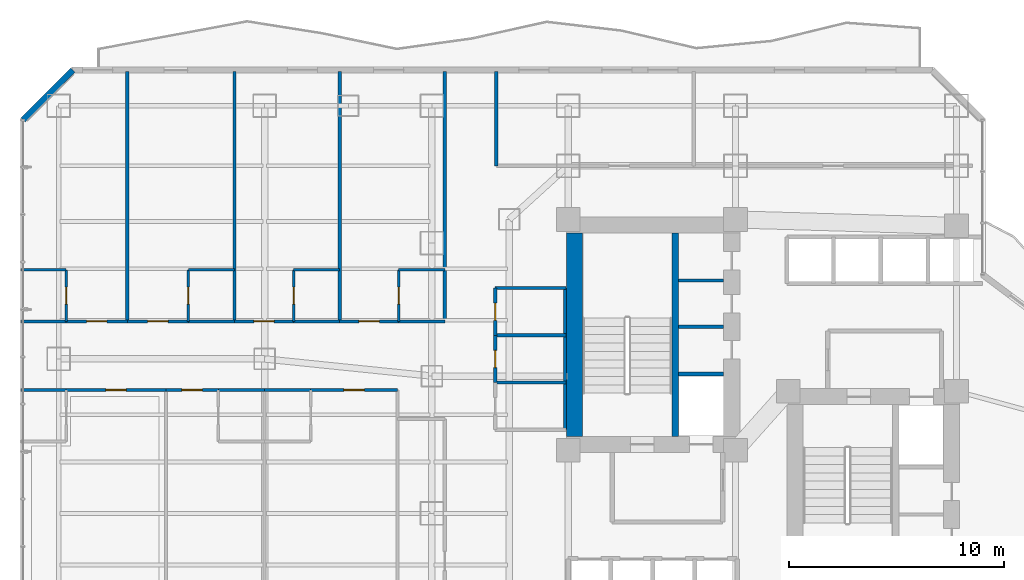
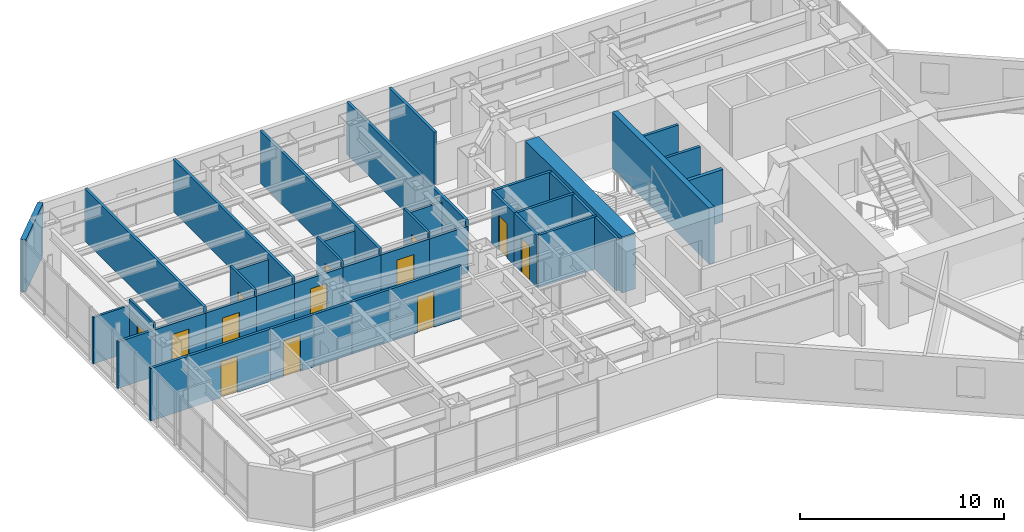
# One storey, part 26 of 38: 39 walls, 13 doors, 13 openings.
"""IFC4 building model written with IfcOpenShell, lengths in metres."""

from ifc_helpers import new_model, si_unit, direction, frame, frame_2d, origin, place, context, subcontext, project, spatial, rectangle, extrude, material, layer, layer_set, type_object, element, fill, save


model = new_model("IFC4")

# Units and contexts
model_context = context("Model", 3, precision=1e-05, world=origin(), true_north=direction((0.0, 1.0)))
body_context = subcontext(model_context, "Body", "Model", "MODEL_VIEW")
ifc_project = project(units=[si_unit("LENGTHUNIT", "METRE"), si_unit("AREAUNIT", "SQUARE_METRE"), si_unit("VOLUMEUNIT", "CUBIC_METRE"), si_unit("PLANEANGLEUNIT", "RADIAN"), si_unit("MASSUNIT", "GRAM", prefix="KILO")], contexts=[model_context])

# Site, building, storey
site_placement = place(None, origin())
site = spatial("IfcSite", under=ifc_project, at=site_placement, CompositionType="ELEMENT")
building_placement = place(site_placement, origin())
building = spatial("IfcBuilding", under=site, at=building_placement, Name="Hatsunagi Terrace Concourse", CompositionType="ELEMENT")
storey_placement = place(building_placement, frame((0.0, 0.0, 60.050048828125)))
storey = spatial("IfcBuildingStorey", under=building, at=storey_placement, Name="L15", CompositionType="ELEMENT", Elevation=60.050048828125)

# Walls
ifc_material_1 = material(Name="Concrete Fc60", Category="concrete")
ifc_layer_1 = layer(ifc_material_1, 0.75)
ifc_layer_set_1 = layer_set([ifc_layer_1], Name="CoreShearWall_Fc60_750")
wall_type_1 = type_object("IfcWallType", Name="CoreShearWall_Fc60_750", PredefinedType="SHEAR", material=ifc_layer_set_1)
wall_1_placement = place(storey_placement, frame((25.844970703125, 33.18994140625, 0.0), z_axis=(0.0, 0.0, 1.0), x_axis=(0.0, 1.0, 0.0)))
element("IfcWall", 1, at=wall_1_placement, inside=storey, type_object=wall_type_1, Name="Core A Shear Wall W L15", PredefinedType="SHEAR", context=body_context, shape_type="SweptSolid", body=[
    extrude(rectangle(XDim=9.47998046875, YDim=0.75, at=frame_2d((4.739990234375, 0.0))), origin(), (0.0, 0.0, 1.0), 3.349853515625),
])
ifc_material_2 = material(Name="Concrete Fc48", Category="concrete")
ifc_layer_2 = layer(ifc_material_2, 0.300048828125)
ifc_layer_set_2 = layer_set([ifc_layer_2], Name="CoreStairDivider_Fc48_300")
wall_type_2 = type_object("IfcWallType", Name="CoreStairDivider_Fc48_300", PredefinedType="SHEAR", material=ifc_layer_set_2)
wall_2_placement = place(storey_placement, frame((30.5400390625, 33.18994140625, 0.0), z_axis=(0.0, 0.0, 1.0), x_axis=(0.0, 1.0, 0.0)))
element("IfcWall", 2, at=wall_2_placement, inside=storey, type_object=wall_type_2, Name="Core A Shear Wall D L15", PredefinedType="SHEAR", context=body_context, shape_type="SweptSolid", body=[
    extrude(rectangle(XDim=9.47998046875, YDim=0.300048828125, at=frame_2d((4.739990234375, 0.0))), origin(), (0.0, 0.0, 1.0), 3.349853515625),
])

# Wall, opening, door
ifc_material_3 = material(Name="Acoustic mineral board", Category="gypsum")
ifc_layer_3 = layer(ifc_material_3, 0.1201171875)
ifc_layer_set_3 = layer_set([ifc_layer_3], Name="PartitionWall_EI30_120")
wall_type_3 = type_object("IfcWallType", Name="PartitionWall_EI30_120", PredefinedType="PARTITIONING", material=ifc_layer_set_3)
wall_3_placement = place(storey_placement, frame((2.14990234375, 38.550048828125, 0.0), z_axis=(0.0, 0.0, 1.0), x_axis=(0.0, 1.0, 0.0)))
wall_3 = element("IfcWall", 3, at=wall_3_placement, inside=storey, type_object=wall_type_3, Name="Interior Partition IW-L15-048", PredefinedType="PARTITIONING", context=body_context, shape_type="SweptSolid", body=[
    extrude(rectangle(XDim=2.39990234375, YDim=0.1201171875, at=frame_2d((1.199951171875, 0.0))), origin(), (0.0, 0.0, 1.0), 3.1298828125),
])
opening_1_placement = place(wall_3_placement, frame((0.800048828125, 0.0, 0.0)))
opening_1 = element("IfcOpeningElement", 4, at=opening_1_placement, cuts=wall_3, Name="Opening DR-080", PredefinedType="OPENING", context=body_context, shape_type="SweptSolid", body=[
    extrude(rectangle(XDim=0.800048828125, YDim=2.06005859375, at=frame_2d((0.39990234375, 1.030029296875))), frame((0.0, 0.070068359375, 0.0), z_axis=(0.0, -1.0, 0.0), x_axis=(1.0, 0.0, 0.0)), (0.0, 0.0, 1.0), 0.14013671875),
])
ifc_material_4 = material(Name="Hardwood timber", Category="wood")
door_type_1 = type_object("IfcDoorType", Name="BathroomDoor_800", OperationType="NOTDEFINED", PredefinedType="DOOR", material=ifc_material_4)
door_1_placement = place(opening_1_placement, origin())
door_1 = element("IfcDoor", 5, at=door_1_placement, inside=storey, type_object=door_type_1, Name="En-Suite Bathroom L15-N1 Door", OperationType="SINGLE_SWING_RIGHT", OverallHeight=2.06005859375, OverallWidth=0.800048828125, PredefinedType="DOOR", context=body_context, shape_type="SweptSolid", body=[
    extrude(rectangle(XDim=0.800048828125, YDim=2.06005859375, at=frame_2d((0.39990234375, 1.030029296875))), frame((0.0, 0.02490234375, 0.0), z_axis=(0.0, -1.0, 0.0), x_axis=(1.0, 0.0, 0.0)), (0.0, 0.0, 1.0), 0.050048828125),
])
fill(opening_1, door_1)

# Wall
wall_4_placement = place(storey_placement, frame((0.0400390625, 40.949951171875, 0.0), z_axis=(0.0, 0.0, 1.0), x_axis=(1.0, 0.0, 0.0)))
element("IfcWall", 6, at=wall_4_placement, inside=storey, type_object=wall_type_3, Name="Interior Partition IW-L15-049", PredefinedType="PARTITIONING", context=body_context, shape_type="SweptSolid", body=[
    extrude(rectangle(XDim=2.10986328125, YDim=0.1201171875, at=frame_2d((1.054931640625, 0.0))), origin(), (0.0, 0.0, 1.0), 2.77490234375),
])

# Wall, opening, door
wall_5_placement = place(storey_placement, frame((7.85009765625, 38.550048828125, 0.0), z_axis=(0.0, 0.0, 1.0), x_axis=(0.0, 1.0, 0.0)))
wall_5 = element("IfcWall", 7, at=wall_5_placement, inside=storey, type_object=wall_type_3, Name="Interior Partition IW-L15-053", PredefinedType="PARTITIONING", context=body_context, shape_type="SweptSolid", body=[
    extrude(rectangle(XDim=2.39990234375, YDim=0.1201171875, at=frame_2d((1.199951171875, 0.0))), origin(), (0.0, 0.0, 1.0), 3.1298828125),
])
opening_2_placement = place(wall_5_placement, frame((0.800048828125, 0.0, 0.0)))
opening_2 = element("IfcOpeningElement", 8, at=opening_2_placement, cuts=wall_5, Name="Opening DR-080", PredefinedType="OPENING", context=body_context, shape_type="SweptSolid", body=[
    extrude(rectangle(XDim=0.800048828125, YDim=2.06005859375, at=frame_2d((0.39990234375, 1.030029296875))), frame((0.0, 0.070068359375, 0.0), z_axis=(0.0, -1.0, 0.0), x_axis=(1.0, 0.0, 0.0)), (0.0, 0.0, 1.0), 0.14013671875),
])
door_2_placement = place(opening_2_placement, origin())
door_2 = element("IfcDoor", 9, at=door_2_placement, inside=storey, type_object=door_type_1, Name="En-Suite Bathroom L15-N2 Door", OperationType="SINGLE_SWING_LEFT", OverallHeight=2.06005859375, OverallWidth=0.800048828125, PredefinedType="DOOR", context=body_context, shape_type="SweptSolid", body=[
    extrude(rectangle(XDim=0.800048828125, YDim=2.06005859375, at=frame_2d((0.39990234375, 1.030029296875))), frame((0.0, 0.02490234375, 0.0), z_axis=(0.0, -1.0, 0.0), x_axis=(1.0, 0.0, 0.0)), (0.0, 0.0, 1.0), 0.050048828125),
])
fill(opening_2, door_2)

# Wall
wall_6_placement = place(storey_placement, frame((7.85009765625, 40.949951171875, 0.0), z_axis=(0.0, 0.0, 1.0), x_axis=(1.0, 0.0, 0.0)))
element("IfcWall", 10, at=wall_6_placement, inside=storey, type_object=wall_type_3, Name="Interior Partition IW-L15-054", PredefinedType="PARTITIONING", context=body_context, shape_type="SweptSolid", body=[
    extrude(rectangle(XDim=2.14990234375, YDim=0.1201171875, at=frame_2d((1.074951171875, 0.0))), origin(), (0.0, 0.0, 1.0), 2.77490234375),
])

# Wall, opening, door
wall_7_placement = place(storey_placement, frame((12.75, 38.550048828125, 0.0), z_axis=(0.0, 0.0, 1.0), x_axis=(0.0, 1.0, 0.0)))
wall_7 = element("IfcWall", 11, at=wall_7_placement, inside=storey, type_object=wall_type_3, Name="Interior Partition IW-L15-058", PredefinedType="PARTITIONING", context=body_context, shape_type="SweptSolid", body=[
    extrude(rectangle(XDim=2.39990234375, YDim=0.1201171875, at=frame_2d((1.199951171875, 0.0))), origin(), (0.0, 0.0, 1.0), 3.1298828125),
])
opening_3_placement = place(wall_7_placement, frame((0.800048828125, 0.0, 0.0)))
opening_3 = element("IfcOpeningElement", 12, at=opening_3_placement, cuts=wall_7, Name="Opening DR-080", PredefinedType="OPENING", context=body_context, shape_type="SweptSolid", body=[
    extrude(rectangle(XDim=0.800048828125, YDim=2.06005859375, at=frame_2d((0.39990234375, 1.030029296875))), frame((0.0, 0.070068359375, 0.0), z_axis=(0.0, -1.0, 0.0), x_axis=(1.0, 0.0, 0.0)), (0.0, 0.0, 1.0), 0.14013671875),
])
door_3_placement = place(opening_3_placement, origin())
door_3 = element("IfcDoor", 13, at=door_3_placement, inside=storey, type_object=door_type_1, Name="En-Suite Bathroom L15-N3 Door", OperationType="SINGLE_SWING_RIGHT", OverallHeight=2.06005859375, OverallWidth=0.800048828125, PredefinedType="DOOR", context=body_context, shape_type="SweptSolid", body=[
    extrude(rectangle(XDim=0.800048828125, YDim=2.06005859375, at=frame_2d((0.39990234375, 1.030029296875))), frame((0.0, 0.02490234375, 0.0), z_axis=(0.0, -1.0, 0.0), x_axis=(1.0, 0.0, 0.0)), (0.0, 0.0, 1.0), 0.050048828125),
])
fill(opening_3, door_3)

# Wall
wall_8_placement = place(storey_placement, frame((12.75, 40.949951171875, 0.0), z_axis=(0.0, 0.0, 1.0), x_axis=(1.0, 0.0, 0.0)))
element("IfcWall", 14, at=wall_8_placement, inside=storey, type_object=wall_type_3, Name="Interior Partition IW-L15-059", PredefinedType="PARTITIONING", context=body_context, shape_type="SweptSolid", body=[
    extrude(rectangle(XDim=2.14990234375, YDim=0.1201171875, at=frame_2d((1.074951171875, 0.0))), origin(), (0.0, 0.0, 1.0), 2.77490234375),
])

# Wall, opening, door
wall_9_placement = place(storey_placement, frame((17.64990234375, 38.550048828125, 0.0), z_axis=(0.0, 0.0, 1.0), x_axis=(0.0, 1.0, 0.0)))
wall_9 = element("IfcWall", 15, at=wall_9_placement, inside=storey, type_object=wall_type_3, Name="Interior Partition IW-L15-063", PredefinedType="PARTITIONING", context=body_context, shape_type="SweptSolid", body=[
    extrude(rectangle(XDim=2.39990234375, YDim=0.1201171875, at=frame_2d((1.199951171875, 0.0))), origin(), (0.0, 0.0, 1.0), 3.1298828125),
])
opening_4_placement = place(wall_9_placement, frame((0.800048828125, 0.0, 0.0)))
opening_4 = element("IfcOpeningElement", 16, at=opening_4_placement, cuts=wall_9, Name="Opening DR-080", PredefinedType="OPENING", context=body_context, shape_type="SweptSolid", body=[
    extrude(rectangle(XDim=0.800048828125, YDim=2.06005859375, at=frame_2d((0.39990234375, 1.030029296875))), frame((0.0, 0.070068359375, 0.0), z_axis=(0.0, -1.0, 0.0), x_axis=(1.0, 0.0, 0.0)), (0.0, 0.0, 1.0), 0.14013671875),
])
door_4_placement = place(opening_4_placement, origin())
door_4 = element("IfcDoor", 17, at=door_4_placement, inside=storey, type_object=door_type_1, Name="En-Suite Bathroom L15-N4 Door", OperationType="SINGLE_SWING_LEFT", OverallHeight=2.06005859375, OverallWidth=0.800048828125, PredefinedType="DOOR", context=body_context, shape_type="SweptSolid", body=[
    extrude(rectangle(XDim=0.800048828125, YDim=2.06005859375, at=frame_2d((0.39990234375, 1.030029296875))), frame((0.0, 0.02490234375, 0.0), z_axis=(0.0, -1.0, 0.0), x_axis=(1.0, 0.0, 0.0)), (0.0, 0.0, 1.0), 0.050048828125),
])
fill(opening_4, door_4)

# Walls
wall_10_placement = place(storey_placement, frame((17.64990234375, 40.949951171875, 0.0), z_axis=(0.0, 0.0, 1.0), x_axis=(1.0, 0.0, 0.0)))
element("IfcWall", 18, at=wall_10_placement, inside=storey, type_object=wall_type_3, Name="Interior Partition IW-L15-064", PredefinedType="PARTITIONING", context=body_context, shape_type="SweptSolid", body=[
    extrude(rectangle(XDim=2.150146484375, YDim=0.1201171875, at=frame_2d((1.0751953125, 0.0))), origin(), (0.0, 0.0, 1.0), 2.77490234375),
])
ifc_material_5 = material(Name="Acoustic mineral board", Category="gypsum")
ifc_layer_4 = layer(ifc_material_5, 0.14990234375)
ifc_layer_set_4 = layer_set([ifc_layer_4], Name="PartitionWall_EI60_150")
wall_type_4 = type_object("IfcWallType", Name="PartitionWall_EI60_150", PredefinedType="PARTITIONING", material=ifc_layer_set_4)
for number, where, z_axis, x_axis, name in (
    (19, (30.699951171875, 38.300048828125, 0.0), (0.0, 0.0, 1.0), (1.0, 0.0, 0.0), "Interior Partition IW-L15-002"),
    (20, (30.699951171875, 40.449951171875, 0.0), (0.0, 0.0, 1.0), (1.0, 0.0, 0.0), "Interior Partition IW-L15-003"),
):
    element("IfcWall", number, at=place(storey_placement, frame(where, z_axis=z_axis, x_axis=x_axis)), inside=storey, type_object=wall_type_4, Name=name, PredefinedType="PARTITIONING", context=body_context, shape_type="SweptSolid", body=[
        extrude(rectangle(XDim=2.10009765625, YDim=0.14990234375, at=frame_2d((1.050048828125, 0.0))), origin(), (0.0, 0.0, 1.0), 3.1298828125),
    ])
wall_11_placement = place(storey_placement, frame((22.14990234375, 40.10009765625, 0.0), z_axis=(0.0, 0.0, 1.0), x_axis=(1.0, 0.0, 0.0)))
element("IfcWall", 21, at=wall_11_placement, inside=storey, type_object=wall_type_4, Name="Interior Partition IW-L15-032", PredefinedType="PARTITIONING", context=body_context, shape_type="SweptSolid", body=[
    extrude(rectangle(XDim=3.300048828125, YDim=0.14990234375, at=frame_2d((1.64990234375, 0.0))), origin(), (0.0, 0.0, 1.0), 3.1298828125),
])
wall_12_placement = place(storey_placement, frame((25.39990234375, 33.5, 0.0), z_axis=(0.0, 0.0, 1.0), x_axis=(0.0, 1.0, 0.0)))
element("IfcWall", 22, at=wall_12_placement, inside=storey, type_object=wall_type_4, Name="Interior Partition IW-L15-033", PredefinedType="PARTITIONING", context=body_context, shape_type="SweptSolid", body=[
    extrude(rectangle(XDim=6.60009765625, YDim=0.14990234375, at=frame_2d((3.300048828125, 0.0))), origin(), (0.0, 0.0, 1.0), 3.1298828125),
])
for number, where, z_axis, x_axis, name in (
    (23, (22.14990234375, 35.699951171875, 0.0), (0.0, 0.0, 1.0), (1.0, 0.0, 0.0), "Interior Partition IW-L15-034"),
    (24, (22.14990234375, 37.89990234375, 0.0), (0.0, 0.0, 1.0), (1.0, 0.0, 0.0), "Interior Partition IW-L15-035"),
):
    element("IfcWall", number, at=place(storey_placement, frame(where, z_axis=z_axis, x_axis=x_axis)), inside=storey, type_object=wall_type_4, Name=name, PredefinedType="PARTITIONING", context=body_context, shape_type="SweptSolid", body=[
        extrude(rectangle(XDim=3.300048828125, YDim=0.14990234375, at=frame_2d((1.64990234375, 0.0))), origin(), (0.0, 0.0, 1.0), 3.1298828125),
    ])

# Wall, opening, door
wall_13_placement = place(storey_placement, frame((22.14990234375, 35.699951171875, 0.0), z_axis=(0.0, 0.0, 1.0), x_axis=(0.0, 1.0, 0.0)))
wall_13 = element("IfcWall", 25, at=wall_13_placement, inside=storey, type_object=wall_type_4, Name="Interior Partition IW-L15-037", PredefinedType="PARTITIONING", context=body_context, shape_type="SweptSolid", body=[
    extrude(rectangle(XDim=2.199951171875, YDim=0.14990234375, at=frame_2d((1.10009765625, 0.0))), origin(), (0.0, 0.0, 1.0), 3.1298828125),
])
opening_5_placement = place(wall_13_placement, frame((0.699951171875, 0.0, 0.0)))
opening_5 = element("IfcOpeningElement", 26, at=opening_5_placement, cuts=wall_13, Name="Opening DR-080", PredefinedType="OPENING", context=body_context, shape_type="SweptSolid", body=[
    extrude(rectangle(XDim=0.800048828125, YDim=2.06005859375, at=frame_2d((0.39990234375, 1.030029296875))), frame((0.0, 0.0849609375, 0.0), z_axis=(0.0, -1.0, 0.0), x_axis=(1.0, 0.0, 0.0)), (0.0, 0.0, 1.0), 0.169921875),
])
door_5_placement = place(opening_5_placement, origin())
door_5 = element("IfcDoor", 27, at=door_5_placement, inside=storey, type_object=door_type_1, Name="Female Restroom Door L15", OperationType="SINGLE_SWING_RIGHT", OverallHeight=2.06005859375, OverallWidth=0.800048828125, PredefinedType="DOOR", context=body_context, shape_type="SweptSolid", body=[
    extrude(rectangle(XDim=0.800048828125, YDim=2.06005859375, at=frame_2d((0.39990234375, 1.030029296875))), frame((0.0, 0.02490234375, 0.0), z_axis=(0.0, -1.0, 0.0), x_axis=(1.0, 0.0, 0.0)), (0.0, 0.0, 1.0), 0.050048828125),
])
fill(opening_5, door_5)

wall_14_placement = place(storey_placement, frame((22.14990234375, 37.89990234375, 0.0), z_axis=(0.0, 0.0, 1.0), x_axis=(0.0, 1.0, 0.0)))
wall_14 = element("IfcWall", 28, at=wall_14_placement, inside=storey, type_object=wall_type_4, Name="Interior Partition IW-L15-038", PredefinedType="PARTITIONING", context=body_context, shape_type="SweptSolid", body=[
    extrude(rectangle(XDim=2.2001953125, YDim=0.14990234375, at=frame_2d((1.10009765625, 0.0))), origin(), (0.0, 0.0, 1.0), 3.1298828125),
])
opening_6_placement = place(wall_14_placement, frame((0.699951171875, 0.0, 0.0)))
opening_6 = element("IfcOpeningElement", 29, at=opening_6_placement, cuts=wall_14, Name="Opening DR-080", PredefinedType="OPENING", context=body_context, shape_type="SweptSolid", body=[
    extrude(rectangle(XDim=0.800048828125, YDim=2.06005859375, at=frame_2d((0.39990234375, 1.030029296875))), frame((0.0, 0.0849609375, 0.0), z_axis=(0.0, -1.0, 0.0), x_axis=(1.0, 0.0, 0.0)), (0.0, 0.0, 1.0), 0.169921875),
])
door_6_placement = place(opening_6_placement, origin())
door_6 = element("IfcDoor", 30, at=door_6_placement, inside=storey, type_object=door_type_1, Name="Male Restroom Door L15", OperationType="SINGLE_SWING_RIGHT", OverallHeight=2.06005859375, OverallWidth=0.800048828125, PredefinedType="DOOR", context=body_context, shape_type="SweptSolid", body=[
    extrude(rectangle(XDim=0.800048828125, YDim=2.06005859375, at=frame_2d((0.39990234375, 1.030029296875))), frame((0.0, 0.02490234375, 0.0), z_axis=(0.0, -1.0, 0.0), x_axis=(1.0, 0.0, 0.0)), (0.0, 0.0, 1.0), 0.050048828125),
])
fill(opening_6, door_6)

# Walls
wall_15_placement = place(storey_placement, frame((22.199951171875, 45.800048828125, 0.0), z_axis=(0.0, 0.0, 1.0), x_axis=(0.0, 1.0, 0.0)))
element("IfcWall", 31, at=wall_15_placement, inside=storey, type_object=wall_type_4, Name="Interior Partition IW-L15-040", PredefinedType="PARTITIONING", context=body_context, shape_type="SweptSolid", body=[
    extrude(rectangle(XDim=4.39990234375, YDim=0.14990234375, at=frame_2d((2.199951171875, 0.0))), origin(), (0.0, 0.0, 1.0), 3.1298828125),
])
wall_16_placement = place(storey_placement, frame((0.0400390625, 38.550048828125, 0.0), z_axis=(0.0, 0.0, 1.0), x_axis=(1.0, 0.0, 0.0)))
element("IfcWall", 32, at=wall_16_placement, inside=storey, type_object=wall_type_4, Name="Interior Partition IW-L15-046", PredefinedType="PARTITIONING", context=body_context, shape_type="SweptSolid", body=[
    extrude(rectangle(XDim=2.10986328125, YDim=0.14990234375, at=frame_2d((1.054931640625, 0.0))), origin(), (0.0, 0.0, 1.0), 2.77490234375),
])

# Wall, opening, door
wall_17_placement = place(storey_placement, frame((2.14990234375, 38.550048828125, 0.0), z_axis=(0.0, 0.0, 1.0), x_axis=(1.0, 0.0, 0.0)))
wall_17 = element("IfcWall", 33, at=wall_17_placement, inside=storey, type_object=wall_type_4, Name="Interior Partition IW-L15-047", PredefinedType="PARTITIONING", context=body_context, shape_type="SweptSolid", body=[
    extrude(rectangle(XDim=2.85009765625, YDim=0.14990234375, at=frame_2d((1.425048828125, 0.0))), origin(), (0.0, 0.0, 1.0), 2.77490234375),
])
opening_7_placement = place(wall_17_placement, frame((0.949951171875, 0.0, 0.0)))
opening_7 = element("IfcOpeningElement", 34, at=opening_7_placement, cuts=wall_17, Name="Opening DR-095", PredefinedType="OPENING", context=body_context, shape_type="SweptSolid", body=[
    extrude(rectangle(XDim=0.949951171875, YDim=2.14990234375, at=frame_2d((0.47509765625, 1.074951171875))), frame((0.0, 0.0849609375, 0.0), z_axis=(0.0, -1.0, 0.0), x_axis=(1.0, 0.0, 0.0)), (0.0, 0.0, 1.0), 0.169921875),
])
ifc_material_6 = material(Name="Hardwood timber", Category="wood")
door_type_2 = type_object("IfcDoorType", Name="InteriorSuiteDoor_EI30_950", OperationType="NOTDEFINED", PredefinedType="DOOR", material=ifc_material_6)
door_7_placement = place(opening_7_placement, origin())
door_7 = element("IfcDoor", 35, at=door_7_placement, inside=storey, type_object=door_type_2, Name="Hotel Guest Room L15-N1 Door", OperationType="SINGLE_SWING_LEFT", OverallHeight=2.14990234375, OverallWidth=0.949951171875, PredefinedType="DOOR", context=body_context, shape_type="SweptSolid", body=[
    extrude(rectangle(XDim=0.949951171875, YDim=2.14990234375, at=frame_2d((0.47509765625, 1.074951171875))), frame((0.0, 0.02490234375, 0.0), z_axis=(0.0, -1.0, 0.0), x_axis=(1.0, 0.0, 0.0)), (0.0, 0.0, 1.0), 0.050048828125),
])
fill(opening_7, door_7)

# Wall
wall_18_placement = place(storey_placement, frame((5.0, 38.550048828125, 0.0), z_axis=(0.0, 0.0, 1.0), x_axis=(0.0, 1.0, 0.0)))
element("IfcWall", 36, at=wall_18_placement, inside=storey, type_object=wall_type_4, Name="Interior Partition IW-L15-050", PredefinedType="PARTITIONING", context=body_context, shape_type="SweptSolid", body=[
    extrude(rectangle(XDim=11.64990234375, YDim=0.14990234375, at=frame_2d((5.824951171875, 0.0))), origin(), (0.0, 0.0, 1.0), 3.1298828125),
])

# Wall, opening, door
wall_19_placement = place(storey_placement, frame((5.0, 38.550048828125, 0.0), z_axis=(0.0, 0.0, 1.0), x_axis=(1.0, 0.0, 0.0)))
wall_19 = element("IfcWall", 37, at=wall_19_placement, inside=storey, type_object=wall_type_4, Name="Interior Partition IW-L15-051", PredefinedType="PARTITIONING", context=body_context, shape_type="SweptSolid", body=[
    extrude(rectangle(XDim=2.85009765625, YDim=0.14990234375, at=frame_2d((1.425048828125, 0.0))), origin(), (0.0, 0.0, 1.0), 2.77490234375),
])
opening_8_placement = place(wall_19_placement, frame((0.949951171875, 0.0, 0.0)))
opening_8 = element("IfcOpeningElement", 38, at=opening_8_placement, cuts=wall_19, Name="Opening DR-095", PredefinedType="OPENING", context=body_context, shape_type="SweptSolid", body=[
    extrude(rectangle(XDim=0.949951171875, YDim=2.14990234375, at=frame_2d((0.47509765625, 1.074951171875))), frame((0.0, 0.0849609375, 0.0), z_axis=(0.0, -1.0, 0.0), x_axis=(1.0, 0.0, 0.0)), (0.0, 0.0, 1.0), 0.169921875),
])
door_8_placement = place(opening_8_placement, origin())
door_8 = element("IfcDoor", 39, at=door_8_placement, inside=storey, type_object=door_type_2, Name="Hotel Guest Room L15-N2 Door", OperationType="SINGLE_SWING_LEFT", OverallHeight=2.14990234375, OverallWidth=0.949951171875, PredefinedType="DOOR", context=body_context, shape_type="SweptSolid", body=[
    extrude(rectangle(XDim=0.949951171875, YDim=2.14990234375, at=frame_2d((0.47509765625, 1.074951171875))), frame((0.0, 0.02490234375, 0.0), z_axis=(0.0, -1.0, 0.0), x_axis=(1.0, 0.0, 0.0)), (0.0, 0.0, 1.0), 0.050048828125),
])
fill(opening_8, door_8)

# Walls
wall_20_placement = place(storey_placement, frame((7.85009765625, 38.550048828125, 0.0), z_axis=(0.0, 0.0, 1.0), x_axis=(1.0, 0.0, 0.0)))
element("IfcWall", 40, at=wall_20_placement, inside=storey, type_object=wall_type_4, Name="Interior Partition IW-L15-052", PredefinedType="PARTITIONING", context=body_context, shape_type="SweptSolid", body=[
    extrude(rectangle(XDim=2.14990234375, YDim=0.14990234375, at=frame_2d((1.074951171875, 0.0))), origin(), (0.0, 0.0, 1.0), 2.77490234375),
])
wall_21_placement = place(storey_placement, frame((10.0, 38.550048828125, 0.0), z_axis=(0.0, 0.0, 1.0), x_axis=(0.0, 1.0, 0.0)))
element("IfcWall", 41, at=wall_21_placement, inside=storey, type_object=wall_type_4, Name="Interior Partition IW-L15-055", PredefinedType="PARTITIONING", context=body_context, shape_type="SweptSolid", body=[
    extrude(rectangle(XDim=11.64990234375, YDim=0.14990234375, at=frame_2d((5.824951171875, 0.0))), origin(), (0.0, 0.0, 1.0), 3.1298828125),
])

# Wall, opening, door
wall_22_placement = place(storey_placement, frame((10.0, 38.550048828125, 0.0), z_axis=(0.0, 0.0, 1.0), x_axis=(1.0, 0.0, 0.0)))
wall_22 = element("IfcWall", 42, at=wall_22_placement, inside=storey, type_object=wall_type_4, Name="Interior Partition IW-L15-056", PredefinedType="PARTITIONING", context=body_context, shape_type="SweptSolid", body=[
    extrude(rectangle(XDim=2.75, YDim=0.14990234375, at=frame_2d((1.375, 0.0))), origin(), (0.0, 0.0, 1.0), 2.77490234375),
])
opening_9_placement = place(wall_22_placement, frame((0.89990234375, 0.0, 0.0)))
opening_9 = element("IfcOpeningElement", 43, at=opening_9_placement, cuts=wall_22, Name="Opening DR-095", PredefinedType="OPENING", context=body_context, shape_type="SweptSolid", body=[
    extrude(rectangle(XDim=0.949951171875, YDim=2.14990234375, at=frame_2d((0.47509765625, 1.074951171875))), frame((0.0, 0.0849609375, 0.0), z_axis=(0.0, -1.0, 0.0), x_axis=(1.0, 0.0, 0.0)), (0.0, 0.0, 1.0), 0.169921875),
])
door_9_placement = place(opening_9_placement, origin())
door_9 = element("IfcDoor", 44, at=door_9_placement, inside=storey, type_object=door_type_2, Name="Hotel Guest Room L15-N3 Door", OperationType="SINGLE_SWING_LEFT", OverallHeight=2.14990234375, OverallWidth=0.949951171875, PredefinedType="DOOR", context=body_context, shape_type="SweptSolid", body=[
    extrude(rectangle(XDim=0.949951171875, YDim=2.14990234375, at=frame_2d((0.47509765625, 1.074951171875))), frame((0.0, 0.02490234375, 0.0), z_axis=(0.0, -1.0, 0.0), x_axis=(1.0, 0.0, 0.0)), (0.0, 0.0, 1.0), 0.050048828125),
])
fill(opening_9, door_9)

# Walls
wall_23_placement = place(storey_placement, frame((12.75, 38.550048828125, 0.0), z_axis=(0.0, 0.0, 1.0), x_axis=(1.0, 0.0, 0.0)))
element("IfcWall", 45, at=wall_23_placement, inside=storey, type_object=wall_type_4, Name="Interior Partition IW-L15-057", PredefinedType="PARTITIONING", context=body_context, shape_type="SweptSolid", body=[
    extrude(rectangle(XDim=2.14990234375, YDim=0.14990234375, at=frame_2d((1.074951171875, 0.0))), origin(), (0.0, 0.0, 1.0), 2.77490234375),
])
wall_24_placement = place(storey_placement, frame((14.89990234375, 38.550048828125, 0.0), z_axis=(0.0, 0.0, 1.0), x_axis=(0.0, 1.0, 0.0)))
element("IfcWall", 46, at=wall_24_placement, inside=storey, type_object=wall_type_4, Name="Interior Partition IW-L15-060", PredefinedType="PARTITIONING", context=body_context, shape_type="SweptSolid", body=[
    extrude(rectangle(XDim=11.64990234375, YDim=0.14990234375, at=frame_2d((5.824951171875, 0.0))), origin(), (0.0, 0.0, 1.0), 3.1298828125),
])

# Wall, opening, door
wall_25_placement = place(storey_placement, frame((14.89990234375, 38.550048828125, 0.0), z_axis=(0.0, 0.0, 1.0), x_axis=(1.0, 0.0, 0.0)))
wall_25 = element("IfcWall", 47, at=wall_25_placement, inside=storey, type_object=wall_type_4, Name="Interior Partition IW-L15-061", PredefinedType="PARTITIONING", context=body_context, shape_type="SweptSolid", body=[
    extrude(rectangle(XDim=2.75, YDim=0.14990234375, at=frame_2d((1.375, 0.0))), origin(), (0.0, 0.0, 1.0), 2.77490234375),
])
opening_10_placement = place(wall_25_placement, frame((0.89990234375, 0.0, 0.0)))
opening_10 = element("IfcOpeningElement", 48, at=opening_10_placement, cuts=wall_25, Name="Opening DR-095", PredefinedType="OPENING", context=body_context, shape_type="SweptSolid", body=[
    extrude(rectangle(XDim=0.949951171875, YDim=2.14990234375, at=frame_2d((0.47509765625, 1.074951171875))), frame((0.0, 0.0849609375, 0.0), z_axis=(0.0, -1.0, 0.0), x_axis=(1.0, 0.0, 0.0)), (0.0, 0.0, 1.0), 0.169921875),
])
door_10_placement = place(opening_10_placement, origin())
door_10 = element("IfcDoor", 49, at=door_10_placement, inside=storey, type_object=door_type_2, Name="Hotel Guest Room L15-N4 Door", OperationType="SINGLE_SWING_LEFT", OverallHeight=2.14990234375, OverallWidth=0.949951171875, PredefinedType="DOOR", context=body_context, shape_type="SweptSolid", body=[
    extrude(rectangle(XDim=0.949951171875, YDim=2.14990234375, at=frame_2d((0.47509765625, 1.074951171875))), frame((0.0, 0.02490234375, 0.0), z_axis=(0.0, -1.0, 0.0), x_axis=(1.0, 0.0, 0.0)), (0.0, 0.0, 1.0), 0.050048828125),
])
fill(opening_10, door_10)

# Walls
wall_26_placement = place(storey_placement, frame((17.64990234375, 38.550048828125, 0.0), z_axis=(0.0, 0.0, 1.0), x_axis=(1.0, 0.0, 0.0)))
element("IfcWall", 50, at=wall_26_placement, inside=storey, type_object=wall_type_4, Name="Interior Partition IW-L15-062", PredefinedType="PARTITIONING", context=body_context, shape_type="SweptSolid", body=[
    extrude(rectangle(XDim=2.150146484375, YDim=0.14990234375, at=frame_2d((1.0751953125, 0.0))), origin(), (0.0, 0.0, 1.0), 2.77490234375),
])
wall_27_placement = place(storey_placement, frame((19.800048828125, 38.550048828125, 0.0), z_axis=(0.0, 0.0, 1.0), x_axis=(0.0, 1.0, 0.0)))
element("IfcWall", 51, at=wall_27_placement, inside=storey, type_object=wall_type_4, Name="Interior Partition IW-L15-065", PredefinedType="PARTITIONING", context=body_context, shape_type="SweptSolid", body=[
    extrude(rectangle(XDim=11.64990234375, YDim=0.14990234375, at=frame_2d((5.824951171875, 0.0))), origin(), (0.0, 0.0, 1.0), 3.1298828125),
])
wall_28_placement = place(storey_placement, frame((0.0400390625, 35.35009765625, 0.0), z_axis=(0.0, 0.0, 1.0), x_axis=(1.0, 0.0, 0.0)))
element("IfcWall", 52, at=wall_28_placement, inside=storey, type_object=wall_type_4, Name="Interior Partition IW-L15-066", PredefinedType="PARTITIONING", context=body_context, shape_type="SweptSolid", body=[
    extrude(rectangle(XDim=2.10986328125, YDim=0.14990234375, at=frame_2d((1.054931640625, 0.0))), origin(), (0.0, 0.0, 1.0), 3.1298828125),
])

# Wall, opening, door
wall_29_placement = place(storey_placement, frame((2.14990234375, 35.35009765625, 0.0), z_axis=(0.0, 0.0, 1.0), x_axis=(1.0, 0.0, 0.0)))
wall_29 = element("IfcWall", 53, at=wall_29_placement, inside=storey, type_object=wall_type_4, Name="Interior Partition IW-L15-067", PredefinedType="PARTITIONING", context=body_context, shape_type="SweptSolid", body=[
    extrude(rectangle(XDim=4.650146484375, YDim=0.14990234375, at=frame_2d((2.3251953125, 0.0))), origin(), (0.0, 0.0, 1.0), 3.1298828125),
])
opening_11_placement = place(wall_29_placement, frame((1.85009765625, 0.0, 0.0)))
opening_11 = element("IfcOpeningElement", 54, at=opening_11_placement, cuts=wall_29, Name="Opening DR-095", PredefinedType="OPENING", context=body_context, shape_type="SweptSolid", body=[
    extrude(rectangle(XDim=0.949951171875, YDim=2.14990234375, at=frame_2d((0.47509765625, 1.074951171875))), frame((0.0, 0.0849609375, 0.0), z_axis=(0.0, -1.0, 0.0), x_axis=(1.0, 0.0, 0.0)), (0.0, 0.0, 1.0), 0.169921875),
])
door_11_placement = place(opening_11_placement, origin())
door_11 = element("IfcDoor", 55, at=door_11_placement, inside=storey, type_object=door_type_2, Name="Corner Hotel Suite L15-S1 Door", OperationType="SINGLE_SWING_RIGHT", OverallHeight=2.14990234375, OverallWidth=0.949951171875, PredefinedType="DOOR", context=body_context, shape_type="SweptSolid", body=[
    extrude(rectangle(XDim=0.949951171875, YDim=2.14990234375, at=frame_2d((0.47509765625, 1.074951171875))), frame((0.0, 0.02490234375, 0.0), z_axis=(0.0, -1.0, 0.0), x_axis=(1.0, 0.0, 0.0)), (0.0, 0.0, 1.0), 0.050048828125),
])
fill(opening_11, door_11)

wall_30_placement = place(storey_placement, frame((6.800048828125, 35.35009765625, 0.0), z_axis=(0.0, 0.0, 1.0), x_axis=(1.0, 0.0, 0.0)))
wall_30 = element("IfcWall", 56, at=wall_30_placement, inside=storey, type_object=wall_type_4, Name="Interior Partition IW-L15-071", PredefinedType="PARTITIONING", context=body_context, shape_type="SweptSolid", body=[
    extrude(rectangle(XDim=2.449951171875, YDim=0.14990234375, at=frame_2d((1.22509765625, 0.0))), origin(), (0.0, 0.0, 1.0), 3.1298828125),
])
opening_12_placement = place(wall_30_placement, frame((0.75, 0.0, 0.0)))
opening_12 = element("IfcOpeningElement", 57, at=opening_12_placement, cuts=wall_30, Name="Opening DR-095", PredefinedType="OPENING", context=body_context, shape_type="SweptSolid", body=[
    extrude(rectangle(XDim=0.949951171875, YDim=2.14990234375, at=frame_2d((0.47509765625, 1.074951171875))), frame((0.0, 0.0849609375, 0.0), z_axis=(0.0, -1.0, 0.0), x_axis=(1.0, 0.0, 0.0)), (0.0, 0.0, 1.0), 0.169921875),
])
door_12_placement = place(opening_12_placement, origin())
door_12 = element("IfcDoor", 58, at=door_12_placement, inside=storey, type_object=door_type_2, Name="Hotel Guest Room L15-S2 Door", OperationType="SINGLE_SWING_RIGHT", OverallHeight=2.14990234375, OverallWidth=0.949951171875, PredefinedType="DOOR", context=body_context, shape_type="SweptSolid", body=[
    extrude(rectangle(XDim=0.949951171875, YDim=2.14990234375, at=frame_2d((0.47509765625, 1.074951171875))), frame((0.0, 0.02490234375, 0.0), z_axis=(0.0, -1.0, 0.0), x_axis=(1.0, 0.0, 0.0)), (0.0, 0.0, 1.0), 0.050048828125),
])
fill(opening_12, door_12)

# Walls
wall_31_placement = place(storey_placement, frame((9.25, 35.35009765625, 0.0), z_axis=(0.0, 0.0, 1.0), x_axis=(1.0, 0.0, 0.0)))
element("IfcWall", 59, at=wall_31_placement, inside=storey, type_object=wall_type_4, Name="Interior Partition IW-L15-072", PredefinedType="PARTITIONING", context=body_context, shape_type="SweptSolid", body=[
    extrude(rectangle(XDim=2.14990234375, YDim=0.14990234375, at=frame_2d((1.074951171875, 0.0))), origin(), (0.0, 0.0, 1.0), 3.1298828125),
])
wall_32_placement = place(storey_placement, frame((11.39990234375, 35.35009765625, 0.0), z_axis=(0.0, 0.0, 1.0), x_axis=(1.0, 0.0, 0.0)))
element("IfcWall", 60, at=wall_32_placement, inside=storey, type_object=wall_type_4, Name="Interior Partition IW-L15-076", PredefinedType="PARTITIONING", context=body_context, shape_type="SweptSolid", body=[
    extrude(rectangle(XDim=2.150146484375, YDim=0.14990234375, at=frame_2d((1.0751953125, 0.0))), origin(), (0.0, 0.0, 1.0), 3.1298828125),
])

# Wall, opening, door
wall_33_placement = place(storey_placement, frame((13.550048828125, 35.35009765625, 0.0), z_axis=(0.0, 0.0, 1.0), x_axis=(1.0, 0.0, 0.0)))
wall_33 = element("IfcWall", 61, at=wall_33_placement, inside=storey, type_object=wall_type_4, Name="Interior Partition IW-L15-077", PredefinedType="PARTITIONING", context=body_context, shape_type="SweptSolid", body=[
    extrude(rectangle(XDim=4.050048828125, YDim=0.14990234375, at=frame_2d((2.02490234375, 0.0))), origin(), (0.0, 0.0, 1.0), 3.1298828125),
])
opening_13_placement = place(wall_33_placement, frame((1.550048828125, 0.0, 0.0)))
opening_13 = element("IfcOpeningElement", 62, at=opening_13_placement, cuts=wall_33, Name="Opening DR-095", PredefinedType="OPENING", context=body_context, shape_type="SweptSolid", body=[
    extrude(rectangle(XDim=0.949951171875, YDim=2.14990234375, at=frame_2d((0.47509765625, 1.074951171875))), frame((0.0, 0.0849609375, 0.0), z_axis=(0.0, -1.0, 0.0), x_axis=(1.0, 0.0, 0.0)), (0.0, 0.0, 1.0), 0.169921875),
])
door_13_placement = place(opening_13_placement, origin())
door_13 = element("IfcDoor", 63, at=door_13_placement, inside=storey, type_object=door_type_2, Name="Hotel Guest Room L15-S3 Door", OperationType="SINGLE_SWING_RIGHT", OverallHeight=2.14990234375, OverallWidth=0.949951171875, PredefinedType="DOOR", context=body_context, shape_type="SweptSolid", body=[
    extrude(rectangle(XDim=0.949951171875, YDim=2.14990234375, at=frame_2d((0.47509765625, 1.074951171875))), frame((0.0, 0.02490234375, 0.0), z_axis=(0.0, -1.0, 0.0), x_axis=(1.0, 0.0, 0.0)), (0.0, 0.0, 1.0), 0.050048828125),
])
fill(opening_13, door_13)

# Walls
ifc_material_7 = material(Name="Acoustic mineral board", Category="gypsum")
ifc_layer_5 = layer(ifc_material_7, 0.199951171875)
ifc_layer_set_5 = layer_set([ifc_layer_5], Name="ShaftWall_EI120_200")
wall_type_5 = type_object("IfcWallType", Name="ShaftWall_EI120_200", PredefinedType="STANDARD", material=ifc_layer_set_5)
wall_34_placement = place(storey_placement, frame((30.699951171875, 36.10009765625, 0.0), z_axis=(0.0, 0.0, 1.0), x_axis=(1.0, 0.0, 0.0)))
element("IfcWall", 64, at=wall_34_placement, inside=storey, type_object=wall_type_5, Name="Interior Partition IW-L15-001", PredefinedType="STANDARD", context=body_context, shape_type="SweptSolid", body=[
    extrude(rectangle(XDim=2.10009765625, YDim=0.199951171875, at=frame_2d((1.050048828125, 0.0))), origin(), (0.0, 0.0, 1.0), 3.1298828125),
])
ifc_material_8 = material(Name="Autoclaved Lightweight Concrete and Terracotta Cladding", Category="masonry")
ifc_layer_6 = layer(ifc_material_8, 0.280029296875)
ifc_layer_set_6 = layer_set([ifc_layer_6], Name="TerracottaSpandrelWall_280")
wall_type_6 = type_object("IfcWallType", Name="TerracottaSpandrelWall_280", PredefinedType="STANDARD", material=ifc_layer_set_6)
wall_35_placement = place(storey_placement, frame((0.139892578125, 47.94189453125, 0.0), z_axis=(0.0, 0.0, 1.0), x_axis=(0.707106781187, 0.707106781187, 0.0)))
element("IfcWall", 65, at=wall_35_placement, inside=storey, type_object=wall_type_6, Name="Exterior Spandrel Wall EW-L15-10", PredefinedType="STANDARD", context=body_context, shape_type="SweptSolid", body=[
    extrude(rectangle(XDim=3.2783203125, YDim=0.280029296875, at=frame_2d((1.63916015625, 0.0))), origin(), (0.0, 0.0, 1.0), 3.1298828125),
])

save(model, "model.ifc")
